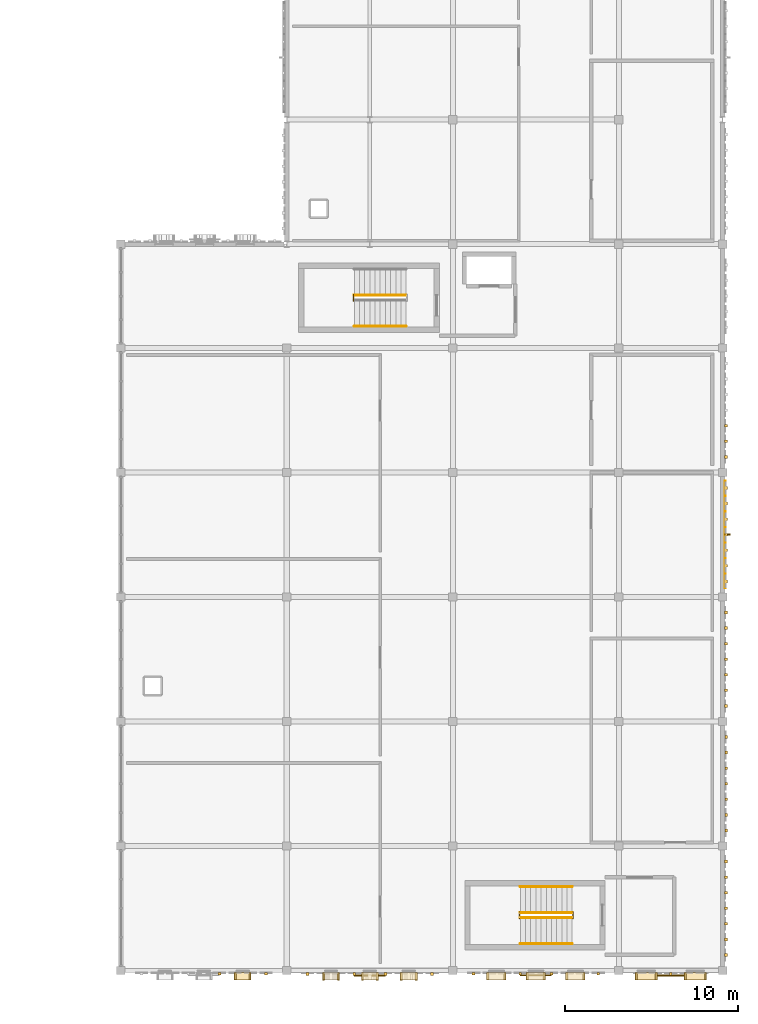
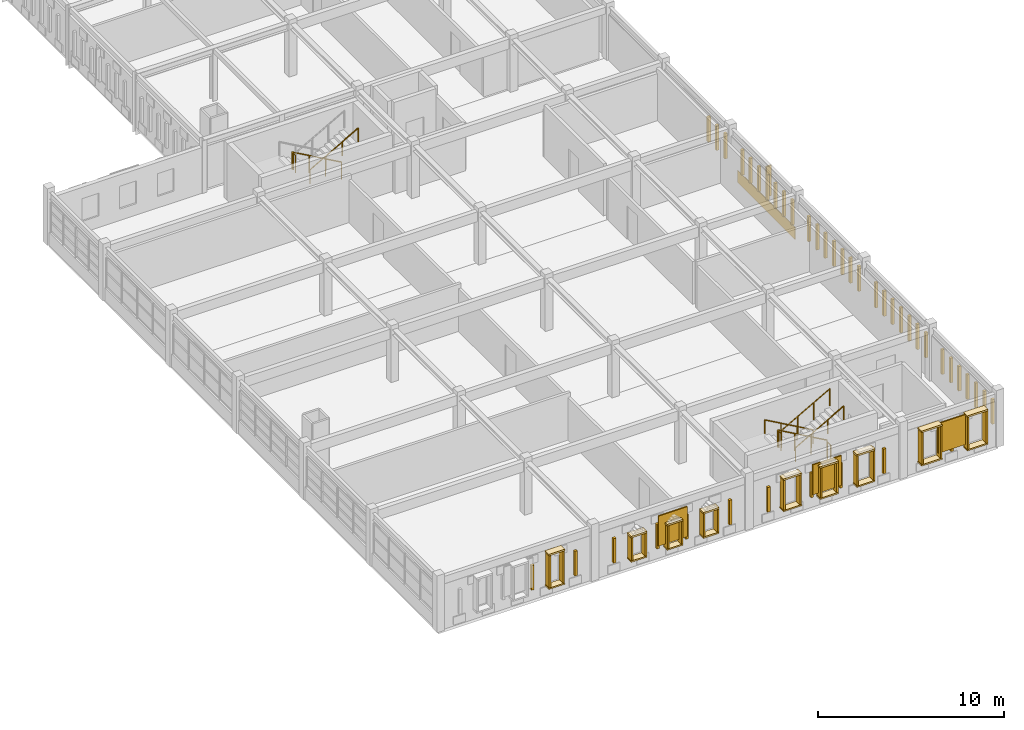
# One storey, part 46 of 53: 79 coverings, 9 railings, 4 shading devices.
"""IFC4 building model written with IfcOpenShell, lengths in metres."""

from ifc_helpers import new_model, si_unit, direction, frame, origin, origin_2d, place, context, subcontext, project, spatial, rectangle, circle, extrude, material, layer, layer_set, type_object, element, save


model = new_model("IFC4")

# Units and contexts
model_context = context("Model", 3, precision=1e-05, world=origin(), true_north=direction((0.0, 1.0)))
body_context = subcontext(model_context, "Body", "Model", "MODEL_VIEW")
ifc_project = project(units=[si_unit("LENGTHUNIT", "METRE"), si_unit("AREAUNIT", "SQUARE_METRE"), si_unit("VOLUMEUNIT", "CUBIC_METRE"), si_unit("PLANEANGLEUNIT", "RADIAN"), si_unit("MASSUNIT", "GRAM", prefix="KILO")], contexts=[model_context])

# Site, building, storey
site_placement = place(None, origin())
site = spatial("IfcSite", under=ifc_project, at=site_placement, CompositionType="ELEMENT")
building_placement = place(site_placement, origin())
building = spatial("IfcBuilding", under=site, at=building_placement, Name="Nzembalo Square Collegiate School", CompositionType="ELEMENT")
storey_placement = place(building_placement, frame((0.0, 0.0, 13.60009765625)))
storey = spatial("IfcBuildingStorey", under=building, at=storey_placement, Name="L03", CompositionType="ELEMENT", Elevation=13.60009765625)

# Coverings
ifc_material_1 = material(Name="Glazed cobalt ceramic patterned tile")
ifc_layer_1 = layer(ifc_material_1, 0.074951171875, Name="Glazed cobalt ceramic patterned tile")
ifc_layer_set_1 = layer_set([ifc_layer_1], Name="Glazed cobalt ceramic patterned tile")
covering_type_1 = type_object("IfcCoveringType", Name="CL01", PredefinedType="CLADDING", material=ifc_layer_set_1)
covering_1_placement = place(storey_placement, frame((165.74755859375, 33.60009765625, 0.02001953125), z_axis=(0.0, 0.0, 1.0), x_axis=(1.0, 0.0, 0.0)))
element("IfcCovering", 1, at=covering_1_placement, inside=storey, type_object=covering_type_1, Name="Faience spandrel cladding CL01-0208", PredefinedType="CLADDING", context=body_context, shape_type="SweptSolid", body=[
    extrude(rectangle(XDim=0.034912109375, YDim=6.216064453125, at=origin_2d()), origin(), (0.0, 0.0, 1.0), 0.800048828125),
])
ifc_material_2 = material(Name="Glazed ochre ceramic lancet rib")
ifc_layer_2 = layer(ifc_material_2, 0.159912109375, Name="Glazed ochre ceramic lancet rib")
ifc_layer_set_2 = layer_set([ifc_layer_2], Name="Glazed ochre ceramic lancet rib")
covering_type_2 = type_object("IfcCoveringType", Name="CL02", PredefinedType="CLADDING", material=ifc_layer_set_2)
for number, where, z_axis, x_axis, name in (
    (2, (165.79248046875, 9.300048828125, 0.759765625), (0.0, 0.0, 1.0), (1.0, 0.0, 0.0), "Gothic ceramic rib CL02-Y0205-0"),
    (3, (165.79248046875, 10.199951171875, 0.759765625), (0.0, 0.0, 1.0), (1.0, 0.0, 0.0), "Gothic ceramic rib CL02-Y0205-1"),
    (4, (165.79248046875, 11.10009765625, 0.759765625), (0.0, 0.0, 1.0), (1.0, 0.0, 0.0), "Gothic ceramic rib CL02-Y0205-2"),
    (5, (165.79248046875, 12.0, 0.759765625), (0.0, 0.0, 1.0), (1.0, 0.0, 0.0), "Gothic ceramic rib CL02-Y0205-3"),
    (6, (165.79248046875, 12.89990234375, 0.759765625), (0.0, 0.0, 1.0), (1.0, 0.0, 0.0), "Gothic ceramic rib CL02-Y0205-4"),
    (7, (165.79248046875, 13.800048828125, 0.759765625), (0.0, 0.0, 1.0), (1.0, 0.0, 0.0), "Gothic ceramic rib CL02-Y0205-5"),
    (8, (165.79248046875, 14.699951171875, 0.759765625), (0.0, 0.0, 1.0), (1.0, 0.0, 0.0), "Gothic ceramic rib CL02-Y0205-6"),
):
    element("IfcCovering", number, at=place(storey_placement, frame(where, z_axis=z_axis, x_axis=x_axis)), inside=storey, type_object=covering_type_2, Name=name, PredefinedType="CLADDING", context=body_context, shape_type="SweptSolid", body=[
        extrude(rectangle(XDim=0.159912109375, YDim=0.159912109375, at=origin_2d()), origin(), (0.0, 0.0, 1.0), 1.618896484375),
    ])
for number, where, z_axis, x_axis, name in (
    (9, (165.802490234375, 16.5, 0.760009765625), (0.0, 0.0, 1.0), (1.0, 0.0, 0.0), "Gothic ceramic rib CL02-Y0206-0"),
    (10, (165.802490234375, 17.39990234375, 0.760009765625), (0.0, 0.0, 1.0), (1.0, 0.0, 0.0), "Gothic ceramic rib CL02-Y0206-1"),
    (11, (165.802490234375, 18.300048828125, 0.760009765625), (0.0, 0.0, 1.0), (1.0, 0.0, 0.0), "Gothic ceramic rib CL02-Y0206-2"),
    (12, (165.802490234375, 19.199951171875, 0.760009765625), (0.0, 0.0, 1.0), (1.0, 0.0, 0.0), "Gothic ceramic rib CL02-Y0206-3"),
    (13, (165.802490234375, 20.10009765625, 0.760009765625), (0.0, 0.0, 1.0), (1.0, 0.0, 0.0), "Gothic ceramic rib CL02-Y0206-4"),
    (14, (165.802490234375, 21.0, 0.760009765625), (0.0, 0.0, 1.0), (1.0, 0.0, 0.0), "Gothic ceramic rib CL02-Y0206-5"),
    (15, (165.802490234375, 21.89990234375, 0.760009765625), (0.0, 0.0, 1.0), (1.0, 0.0, 0.0), "Gothic ceramic rib CL02-Y0206-6"),
    (16, (165.79248046875, 23.699951171875, 0.760009765625), (0.0, 0.0, 1.0), (1.0, 0.0, 0.0), "Gothic ceramic rib CL02-Y0207-0"),
    (17, (165.79248046875, 24.60009765625, 0.760009765625), (0.0, 0.0, 1.0), (1.0, 0.0, 0.0), "Gothic ceramic rib CL02-Y0207-1"),
    (18, (165.79248046875, 25.5, 0.760009765625), (0.0, 0.0, 1.0), (1.0, 0.0, 0.0), "Gothic ceramic rib CL02-Y0207-2"),
    (19, (165.79248046875, 26.39990234375, 0.760009765625), (0.0, 0.0, 1.0), (1.0, 0.0, 0.0), "Gothic ceramic rib CL02-Y0207-3"),
    (20, (165.79248046875, 27.300048828125, 0.760009765625), (0.0, 0.0, 1.0), (1.0, 0.0, 0.0), "Gothic ceramic rib CL02-Y0207-4"),
    (21, (165.79248046875, 28.199951171875, 0.760009765625), (0.0, 0.0, 1.0), (1.0, 0.0, 0.0), "Gothic ceramic rib CL02-Y0207-5"),
    (22, (165.79248046875, 29.10009765625, 0.760009765625), (0.0, 0.0, 1.0), (1.0, 0.0, 0.0), "Gothic ceramic rib CL02-Y0207-6"),
    (23, (165.802490234375, 30.89990234375, 0.760009765625), (0.0, 0.0, 1.0), (1.0, 0.0, 0.0), "Gothic ceramic rib CL02-Y0208-0"),
    (24, (165.802490234375, 31.800048828125, 0.760009765625), (0.0, 0.0, 1.0), (1.0, 0.0, 0.0), "Gothic ceramic rib CL02-Y0208-1"),
    (25, (165.802490234375, 32.699951171875, 0.760009765625), (0.0, 0.0, 1.0), (1.0, 0.0, 0.0), "Gothic ceramic rib CL02-Y0208-2"),
    (26, (165.802490234375, 33.60009765625, 0.760009765625), (0.0, 0.0, 1.0), (1.0, 0.0, 0.0), "Gothic ceramic rib CL02-Y0208-3"),
    (27, (165.802490234375, 34.5, 0.760009765625), (0.0, 0.0, 1.0), (1.0, 0.0, 0.0), "Gothic ceramic rib CL02-Y0208-4"),
    (28, (165.802490234375, 35.39990234375, 0.760009765625), (0.0, 0.0, 1.0), (1.0, 0.0, 0.0), "Gothic ceramic rib CL02-Y0208-5"),
    (29, (165.802490234375, 36.300048828125, 0.760009765625), (0.0, 0.0, 1.0), (1.0, 0.0, 0.0), "Gothic ceramic rib CL02-Y0208-6"),
    (30, (165.79248046875, 38.10009765625, 0.760009765625), (0.0, 0.0, 1.0), (1.0, 0.0, 0.0), "Gothic ceramic rib CL02-Y0209-0"),
    (31, (165.79248046875, 39.0, 0.760009765625), (0.0, 0.0, 1.0), (1.0, 0.0, 0.0), "Gothic ceramic rib CL02-Y0209-1"),
    (32, (165.79248046875, 39.89990234375, 0.760009765625), (0.0, 0.0, 1.0), (1.0, 0.0, 0.0), "Gothic ceramic rib CL02-Y0209-2"),
):
    element("IfcCovering", number, at=place(storey_placement, frame(where, z_axis=z_axis, x_axis=x_axis)), inside=storey, type_object=covering_type_2, Name=name, PredefinedType="CLADDING", context=body_context, shape_type="SweptSolid", body=[
        extrude(rectangle(XDim=0.159912109375, YDim=0.159912109375, at=origin_2d()), origin(), (0.0, 0.0, 1.0), 1.64892578125),
    ])
for number, where, z_axis, x_axis, name in (
    (33, (136.5, 8.20751953125, 0.759765625), (0.0, 0.0, 1.0), (1.0, 0.0, 0.0), "Gothic ceramic rib CL02-X0217-5"),
    (34, (139.199951171875, 8.20751953125, 0.759765625), (0.0, 0.0, 1.0), (1.0, 0.0, 0.0), "Gothic ceramic rib CL02-X0217-8"),
    (35, (141.60009765625, 8.197509765625, 0.759765625), (0.0, 0.0, 1.0), (1.0, 0.0, 0.0), "Gothic ceramic rib CL02-X0218-0"),
    (36, (144.300048828125, 8.197509765625, 0.759765625), (0.0, 0.0, 1.0), (1.0, 0.0, 0.0), "Gothic ceramic rib CL02-X0218-3"),
    (37, (146.10009765625, 8.197509765625, 0.759765625), (0.0, 0.0, 1.0), (1.0, 0.0, 0.0), "Gothic ceramic rib CL02-X0218-5"),
    (38, (148.800048828125, 8.197509765625, 0.759765625), (0.0, 0.0, 1.0), (1.0, 0.0, 0.0), "Gothic ceramic rib CL02-X0218-8"),
    (39, (151.199951171875, 8.20751953125, 0.759765625), (0.0, 0.0, 1.0), (1.0, 0.0, 0.0), "Gothic ceramic rib CL02-X0219-0"),
    (40, (153.89990234375, 8.20751953125, 0.759765625), (0.0, 0.0, 1.0), (1.0, 0.0, 0.0), "Gothic ceramic rib CL02-X0219-3"),
    (41, (155.699951171875, 8.20751953125, 0.759765625), (0.0, 0.0, 1.0), (1.0, 0.0, 0.0), "Gothic ceramic rib CL02-X0219-5"),
    (42, (158.39990234375, 8.20751953125, 0.759765625), (0.0, 0.0, 1.0), (1.0, 0.0, 0.0), "Gothic ceramic rib CL02-X0219-8"),
    (43, (162.60009765625, 8.197509765625, 0.759765625), (0.0, 0.0, 1.0), (1.0, 0.0, 0.0), "Gothic ceramic rib CL02-X0220-2"),
):
    element("IfcCovering", number, at=place(storey_placement, frame(where, z_axis=z_axis, x_axis=x_axis)), inside=storey, type_object=covering_type_2, Name=name, PredefinedType="CLADDING", context=body_context, shape_type="SweptSolid", body=[
        extrude(rectangle(XDim=0.159912109375, YDim=0.159912109375, at=origin_2d()), origin(), (0.0, 0.0, 1.0), 1.618896484375),
    ])
ifc_material_3 = material(Name="Glazed celadon ceramic window frame")
ifc_layer_3 = layer(ifc_material_3, 0.419921875, Name="Glazed celadon ceramic window frame")
ifc_layer_set_3 = layer_set([ifc_layer_3], Name="Glazed celadon ceramic window frame")
covering_type_3 = type_object("IfcCoveringType", Name="WF01", PredefinedType="CLADDING", material=ifc_layer_set_3)
covering_2_placement = place(storey_placement, frame((137.846435546875, 8.072509765625, 2.85498046875), z_axis=(0.0, 0.0, 1.0), x_axis=(1.0, 0.0, 0.0)))
element("IfcCovering", 44, at=covering_2_placement, inside=storey, type_object=covering_type_3, Name="Deep lancet window hood WF01-0669", PredefinedType="CLADDING", context=body_context, shape_type="SweptSolid", body=[
    extrude(rectangle(XDim=0.989990234375, YDim=0.419921875, at=origin_2d()), origin(), (0.0, 0.0, 1.0), 0.110107421875),
])
covering_3_placement = place(storey_placement, frame((137.846435546875, 8.072509765625, 0.65478515625), z_axis=(0.0, 0.0, 1.0), x_axis=(1.0, 0.0, 0.0)))
element("IfcCovering", 45, at=covering_3_placement, inside=storey, type_object=covering_type_3, Name="Deep lancet window sill WF01-0669", PredefinedType="CLADDING", context=body_context, shape_type="SweptSolid", body=[
    extrude(rectangle(XDim=0.989990234375, YDim=0.419921875, at=origin_2d()), origin(), (0.0, 0.0, 1.0), 0.090087890625),
])
for number, where, z_axis, x_axis, name in (
    (46, (137.41650390625, 8.072509765625, 0.749755859375), (0.0, 0.0, 1.0), (1.0, 0.0, 0.0), "Deep lancet window jamb WF01-0669L"),
    (47, (138.276611328125, 8.072509765625, 0.749755859375), (0.0, 0.0, 1.0), (1.0, 0.0, 0.0), "Deep lancet window jamb WF01-0669R"),
):
    element("IfcCovering", number, at=place(storey_placement, frame(where, z_axis=z_axis, x_axis=x_axis)), inside=storey, type_object=covering_type_3, Name=name, PredefinedType="CLADDING", context=body_context, shape_type="SweptSolid", body=[
        extrude(rectangle(XDim=0.10009765625, YDim=0.419921875, at=origin_2d()), origin(), (0.0, 0.0, 1.0), 2.10009765625),
    ])
covering_4_placement = place(storey_placement, frame((142.95361328125, 8.0625, 2.2548828125), z_axis=(0.0, 0.0, 1.0), x_axis=(1.0, 0.0, 0.0)))
element("IfcCovering", 48, at=covering_4_placement, inside=storey, type_object=covering_type_3, Name="Deep lancet window hood WF01-0670", PredefinedType="CLADDING", context=body_context, shape_type="SweptSolid", body=[
    extrude(rectangle(XDim=0.989990234375, YDim=0.419921875, at=origin_2d()), origin(), (0.0, 0.0, 1.0), 0.110107421875),
])
covering_5_placement = place(storey_placement, frame((142.95361328125, 8.0625, 0.65478515625), z_axis=(0.0, 0.0, 1.0), x_axis=(1.0, 0.0, 0.0)))
element("IfcCovering", 49, at=covering_5_placement, inside=storey, type_object=covering_type_3, Name="Deep lancet window sill WF01-0670", PredefinedType="CLADDING", context=body_context, shape_type="SweptSolid", body=[
    extrude(rectangle(XDim=0.989990234375, YDim=0.419921875, at=origin_2d()), origin(), (0.0, 0.0, 1.0), 0.090087890625),
])
for number, where, z_axis, x_axis, name in (
    (50, (142.5234375, 8.0625, 0.75), (0.0, 0.0, 1.0), (1.0, 0.0, 0.0), "Deep lancet window jamb WF01-0670L"),
    (51, (143.383544921875, 8.0625, 0.75), (0.0, 0.0, 1.0), (1.0, 0.0, 0.0), "Deep lancet window jamb WF01-0670R"),
):
    element("IfcCovering", number, at=place(storey_placement, frame(where, z_axis=z_axis, x_axis=x_axis)), inside=storey, type_object=covering_type_3, Name=name, PredefinedType="CLADDING", context=body_context, shape_type="SweptSolid", body=[
        extrude(rectangle(XDim=0.10009765625, YDim=0.419921875, at=origin_2d()), origin(), (0.0, 0.0, 1.0), 1.5),
    ])
covering_6_placement = place(storey_placement, frame((145.199951171875, 8.0625, 2.2548828125), z_axis=(0.0, 0.0, 1.0), x_axis=(1.0, 0.0, 0.0)))
element("IfcCovering", 52, at=covering_6_placement, inside=storey, type_object=covering_type_3, Name="Deep lancet window hood WF01-0671", PredefinedType="CLADDING", context=body_context, shape_type="SweptSolid", body=[
    extrude(rectangle(XDim=0.989990234375, YDim=0.419921875, at=origin_2d()), origin(), (0.0, 0.0, 1.0), 0.110107421875),
])
covering_7_placement = place(storey_placement, frame((145.199951171875, 8.0625, 0.65478515625), z_axis=(0.0, 0.0, 1.0), x_axis=(1.0, 0.0, 0.0)))
element("IfcCovering", 53, at=covering_7_placement, inside=storey, type_object=covering_type_3, Name="Deep lancet window sill WF01-0671", PredefinedType="CLADDING", context=body_context, shape_type="SweptSolid", body=[
    extrude(rectangle(XDim=0.989990234375, YDim=0.419921875, at=origin_2d()), origin(), (0.0, 0.0, 1.0), 0.090087890625),
])
for number, where, z_axis, x_axis, name in (
    (54, (144.77001953125, 8.0625, 0.75), (0.0, 0.0, 1.0), (1.0, 0.0, 0.0), "Deep lancet window jamb WF01-0671L"),
    (55, (145.6298828125, 8.0625, 0.75), (0.0, 0.0, 1.0), (1.0, 0.0, 0.0), "Deep lancet window jamb WF01-0671R"),
):
    element("IfcCovering", number, at=place(storey_placement, frame(where, z_axis=z_axis, x_axis=x_axis)), inside=storey, type_object=covering_type_3, Name=name, PredefinedType="CLADDING", context=body_context, shape_type="SweptSolid", body=[
        extrude(rectangle(XDim=0.10009765625, YDim=0.419921875, at=origin_2d()), origin(), (0.0, 0.0, 1.0), 1.5),
    ])
covering_8_placement = place(storey_placement, frame((147.446533203125, 8.0625, 2.2548828125), z_axis=(0.0, 0.0, 1.0), x_axis=(1.0, 0.0, 0.0)))
element("IfcCovering", 56, at=covering_8_placement, inside=storey, type_object=covering_type_3, Name="Deep lancet window hood WF01-0672", PredefinedType="CLADDING", context=body_context, shape_type="SweptSolid", body=[
    extrude(rectangle(XDim=0.989990234375, YDim=0.419921875, at=origin_2d()), origin(), (0.0, 0.0, 1.0), 0.110107421875),
])
covering_9_placement = place(storey_placement, frame((147.446533203125, 8.0625, 0.65478515625), z_axis=(0.0, 0.0, 1.0), x_axis=(1.0, 0.0, 0.0)))
element("IfcCovering", 57, at=covering_9_placement, inside=storey, type_object=covering_type_3, Name="Deep lancet window sill WF01-0672", PredefinedType="CLADDING", context=body_context, shape_type="SweptSolid", body=[
    extrude(rectangle(XDim=0.989990234375, YDim=0.419921875, at=origin_2d()), origin(), (0.0, 0.0, 1.0), 0.090087890625),
])
for number, where, z_axis, x_axis, name in (
    (58, (147.0166015625, 8.0625, 0.75), (0.0, 0.0, 1.0), (1.0, 0.0, 0.0), "Deep lancet window jamb WF01-0672L"),
    (59, (147.87646484375, 8.0625, 0.75), (0.0, 0.0, 1.0), (1.0, 0.0, 0.0), "Deep lancet window jamb WF01-0672R"),
):
    element("IfcCovering", number, at=place(storey_placement, frame(where, z_axis=z_axis, x_axis=x_axis)), inside=storey, type_object=covering_type_3, Name=name, PredefinedType="CLADDING", context=body_context, shape_type="SweptSolid", body=[
        extrude(rectangle(XDim=0.10009765625, YDim=0.419921875, at=origin_2d()), origin(), (0.0, 0.0, 1.0), 1.5),
    ])
covering_10_placement = place(storey_placement, frame((152.51611328125, 8.072509765625, 2.705078125), z_axis=(0.0, 0.0, 1.0), x_axis=(1.0, 0.0, 0.0)))
element("IfcCovering", 60, at=covering_10_placement, inside=storey, type_object=covering_type_3, Name="Deep lancet window hood WF01-0673", PredefinedType="CLADDING", context=body_context, shape_type="SweptSolid", body=[
    extrude(rectangle(XDim=1.139892578125, YDim=0.419921875, at=origin_2d()), origin(), (0.0, 0.0, 1.0), 0.110107421875),
])
covering_11_placement = place(storey_placement, frame((152.51611328125, 8.072509765625, 0.65478515625), z_axis=(0.0, 0.0, 1.0), x_axis=(1.0, 0.0, 0.0)))
element("IfcCovering", 61, at=covering_11_placement, inside=storey, type_object=covering_type_3, Name="Deep lancet window sill WF01-0673", PredefinedType="CLADDING", context=body_context, shape_type="SweptSolid", body=[
    extrude(rectangle(XDim=1.139892578125, YDim=0.419921875, at=origin_2d()), origin(), (0.0, 0.0, 1.0), 0.090087890625),
])
for number, where, z_axis, x_axis, name in (
    (62, (152.010986328125, 8.072509765625, 0.75), (0.0, 0.0, 1.0), (1.0, 0.0, 0.0), "Deep lancet window jamb WF01-0673L"),
    (63, (153.02099609375, 8.072509765625, 0.75), (0.0, 0.0, 1.0), (1.0, 0.0, 0.0), "Deep lancet window jamb WF01-0673R"),
):
    element("IfcCovering", number, at=place(storey_placement, frame(where, z_axis=z_axis, x_axis=x_axis)), inside=storey, type_object=covering_type_3, Name=name, PredefinedType="CLADDING", context=body_context, shape_type="SweptSolid", body=[
        extrude(rectangle(XDim=0.10009765625, YDim=0.419921875, at=origin_2d()), origin(), (0.0, 0.0, 1.0), 1.949951171875),
    ])
covering_12_placement = place(storey_placement, frame((154.800048828125, 8.072509765625, 2.705078125), z_axis=(0.0, 0.0, 1.0), x_axis=(1.0, 0.0, 0.0)))
element("IfcCovering", 64, at=covering_12_placement, inside=storey, type_object=covering_type_3, Name="Deep lancet window hood WF01-0674", PredefinedType="CLADDING", context=body_context, shape_type="SweptSolid", body=[
    extrude(rectangle(XDim=1.139892578125, YDim=0.419921875, at=origin_2d()), origin(), (0.0, 0.0, 1.0), 0.110107421875),
])
covering_13_placement = place(storey_placement, frame((154.800048828125, 8.072509765625, 0.65478515625), z_axis=(0.0, 0.0, 1.0), x_axis=(1.0, 0.0, 0.0)))
element("IfcCovering", 65, at=covering_13_placement, inside=storey, type_object=covering_type_3, Name="Deep lancet window sill WF01-0674", PredefinedType="CLADDING", context=body_context, shape_type="SweptSolid", body=[
    extrude(rectangle(XDim=1.139892578125, YDim=0.419921875, at=origin_2d()), origin(), (0.0, 0.0, 1.0), 0.090087890625),
])
for number, where, z_axis, x_axis, name in (
    (66, (154.294921875, 8.072509765625, 0.75), (0.0, 0.0, 1.0), (1.0, 0.0, 0.0), "Deep lancet window jamb WF01-0674L"),
    (67, (155.304931640625, 8.072509765625, 0.75), (0.0, 0.0, 1.0), (1.0, 0.0, 0.0), "Deep lancet window jamb WF01-0674R"),
):
    element("IfcCovering", number, at=place(storey_placement, frame(where, z_axis=z_axis, x_axis=x_axis)), inside=storey, type_object=covering_type_3, Name=name, PredefinedType="CLADDING", context=body_context, shape_type="SweptSolid", body=[
        extrude(rectangle(XDim=0.10009765625, YDim=0.419921875, at=origin_2d()), origin(), (0.0, 0.0, 1.0), 1.949951171875),
    ])
covering_14_placement = place(storey_placement, frame((157.083984375, 8.072509765625, 2.705078125), z_axis=(0.0, 0.0, 1.0), x_axis=(1.0, 0.0, 0.0)))
element("IfcCovering", 68, at=covering_14_placement, inside=storey, type_object=covering_type_3, Name="Deep lancet window hood WF01-0675", PredefinedType="CLADDING", context=body_context, shape_type="SweptSolid", body=[
    extrude(rectangle(XDim=1.139892578125, YDim=0.419921875, at=origin_2d()), origin(), (0.0, 0.0, 1.0), 0.110107421875),
])
covering_15_placement = place(storey_placement, frame((157.083984375, 8.072509765625, 0.65478515625), z_axis=(0.0, 0.0, 1.0), x_axis=(1.0, 0.0, 0.0)))
element("IfcCovering", 69, at=covering_15_placement, inside=storey, type_object=covering_type_3, Name="Deep lancet window sill WF01-0675", PredefinedType="CLADDING", context=body_context, shape_type="SweptSolid", body=[
    extrude(rectangle(XDim=1.139892578125, YDim=0.419921875, at=origin_2d()), origin(), (0.0, 0.0, 1.0), 0.090087890625),
])
for number, where, z_axis, x_axis, name in (
    (70, (156.5791015625, 8.072509765625, 0.75), (0.0, 0.0, 1.0), (1.0, 0.0, 0.0), "Deep lancet window jamb WF01-0675L"),
    (71, (157.589111328125, 8.072509765625, 0.75), (0.0, 0.0, 1.0), (1.0, 0.0, 0.0), "Deep lancet window jamb WF01-0675R"),
):
    element("IfcCovering", number, at=place(storey_placement, frame(where, z_axis=z_axis, x_axis=x_axis)), inside=storey, type_object=covering_type_3, Name=name, PredefinedType="CLADDING", context=body_context, shape_type="SweptSolid", body=[
        extrude(rectangle(XDim=0.10009765625, YDim=0.419921875, at=origin_2d()), origin(), (0.0, 0.0, 1.0), 1.949951171875),
    ])
covering_16_placement = place(storey_placement, frame((161.178466796875, 8.0625, 2.85498046875), z_axis=(0.0, 0.0, 1.0), x_axis=(1.0, 0.0, 0.0)))
element("IfcCovering", 72, at=covering_16_placement, inside=storey, type_object=covering_type_3, Name="Deep lancet window hood WF01-0677", PredefinedType="CLADDING", context=body_context, shape_type="SweptSolid", body=[
    extrude(rectangle(XDim=1.2900390625, YDim=0.419921875, at=origin_2d()), origin(), (0.0, 0.0, 1.0), 0.110107421875),
])
covering_17_placement = place(storey_placement, frame((161.178466796875, 8.0625, 0.65478515625), z_axis=(0.0, 0.0, 1.0), x_axis=(1.0, 0.0, 0.0)))
element("IfcCovering", 73, at=covering_17_placement, inside=storey, type_object=covering_type_3, Name="Deep lancet window sill WF01-0677", PredefinedType="CLADDING", context=body_context, shape_type="SweptSolid", body=[
    extrude(rectangle(XDim=1.2900390625, YDim=0.419921875, at=origin_2d()), origin(), (0.0, 0.0, 1.0), 0.090087890625),
])
for number, where, z_axis, x_axis, name in (
    (74, (160.598388671875, 8.0625, 0.749755859375), (0.0, 0.0, 1.0), (1.0, 0.0, 0.0), "Deep lancet window jamb WF01-0677L"),
    (75, (161.758544921875, 8.0625, 0.749755859375), (0.0, 0.0, 1.0), (1.0, 0.0, 0.0), "Deep lancet window jamb WF01-0677R"),
):
    element("IfcCovering", number, at=place(storey_placement, frame(where, z_axis=z_axis, x_axis=x_axis)), inside=storey, type_object=covering_type_3, Name=name, PredefinedType="CLADDING", context=body_context, shape_type="SweptSolid", body=[
        extrude(rectangle(XDim=0.10009765625, YDim=0.419921875, at=origin_2d()), origin(), (0.0, 0.0, 1.0), 2.10009765625),
    ])
covering_18_placement = place(storey_placement, frame((164.021484375, 8.0625, 2.85498046875), z_axis=(0.0, 0.0, 1.0), x_axis=(1.0, 0.0, 0.0)))
element("IfcCovering", 76, at=covering_18_placement, inside=storey, type_object=covering_type_3, Name="Deep lancet window hood WF01-0678", PredefinedType="CLADDING", context=body_context, shape_type="SweptSolid", body=[
    extrude(rectangle(XDim=1.2900390625, YDim=0.419921875, at=origin_2d()), origin(), (0.0, 0.0, 1.0), 0.110107421875),
])
covering_19_placement = place(storey_placement, frame((164.021484375, 8.0625, 0.65478515625), z_axis=(0.0, 0.0, 1.0), x_axis=(1.0, 0.0, 0.0)))
element("IfcCovering", 77, at=covering_19_placement, inside=storey, type_object=covering_type_3, Name="Deep lancet window sill WF01-0678", PredefinedType="CLADDING", context=body_context, shape_type="SweptSolid", body=[
    extrude(rectangle(XDim=1.2900390625, YDim=0.419921875, at=origin_2d()), origin(), (0.0, 0.0, 1.0), 0.090087890625),
])
for number, where, z_axis, x_axis, name in (
    (78, (163.44140625, 8.0625, 0.749755859375), (0.0, 0.0, 1.0), (1.0, 0.0, 0.0), "Deep lancet window jamb WF01-0678L"),
    (79, (164.6015625, 8.0625, 0.749755859375), (0.0, 0.0, 1.0), (1.0, 0.0, 0.0), "Deep lancet window jamb WF01-0678R"),
):
    element("IfcCovering", number, at=place(storey_placement, frame(where, z_axis=z_axis, x_axis=x_axis)), inside=storey, type_object=covering_type_3, Name=name, PredefinedType="CLADDING", context=body_context, shape_type="SweptSolid", body=[
        extrude(rectangle(XDim=0.10009765625, YDim=0.419921875, at=origin_2d()), origin(), (0.0, 0.0, 1.0), 2.10009765625),
    ])

# Railings
ifc_material_4 = material(Name="Steel S355", Category="steel")
railing_type_1 = type_object("IfcRailingType", Name="GR01", PredefinedType="GUARDRAIL", material=ifc_material_4)
railing_1_placement = place(storey_placement, frame((147.300048828125, 47.449951171875, 0.159912109375)))
element("IfcRailing", 80, at=railing_1_placement, inside=storey, type_object=railing_type_1, Name="Stair guard GR-22-1", PredefinedType="GUARDRAIL", context=body_context, shape_type="SweptSolid", body=[
    extrude(circle(Radius=0.02392578125, at=origin_2d()), frame((0.0, 0.0, 1.1259765625), z_axis=(-0.870028259722, 0.0, 0.493001853226), x_axis=(0.0, -1.0, 0.0)), (0.0, 0.0, 1.0), 3.4482421875),
    extrude(circle(Radius=0.02099609375, at=origin_2d()), origin(), (0.0, 0.0, 1.0), 1.101806640625),
    extrude(circle(Radius=0.02099609375, at=origin_2d()), frame((-1.0, 0.0, 0.566650390625)), (0.0, 0.0, 1.0), 1.101806640625),
    extrude(circle(Radius=0.02099609375, at=origin_2d()), frame((-2.0, 0.0, 1.13330078125)), (0.0, 0.0, 1.0), 1.101806640625),
    extrude(circle(Radius=0.02099609375, at=origin_2d()), frame((-3.0, 0.0, 1.699951171875)), (0.0, 0.0, 1.0), 1.101806640625),
])
railing_2_placement = place(storey_placement, frame((144.25, 47.1201171875, 1.864990234375)))
element("IfcRailing", 81, at=railing_2_placement, inside=storey, type_object=railing_type_1, Name="Stair guard GR-22-2", PredefinedType="GUARDRAIL", context=body_context, shape_type="SweptSolid", body=[
    extrude(circle(Radius=0.02392578125, at=origin_2d()), frame((0.0, 0.0, 1.1259765625), z_axis=(0.0, 1.0, 0.0), x_axis=(-1.0, 0.0, 0.0)), (0.0, 0.0, 1.0), 0.35986328125),
    extrude(circle(Radius=0.02099609375, at=origin_2d()), origin(), (0.0, 0.0, 1.0), 1.101806640625),
    extrude(circle(Radius=0.02099609375, at=origin_2d()), frame((0.0, 0.35986328125, 0.0)), (0.0, 0.0, 1.0), 1.101806640625),
])
railing_3_placement = place(storey_placement, frame((156.89990234375, 11.75, 0.159912109375)))
element("IfcRailing", 82, at=railing_3_placement, inside=storey, type_object=railing_type_1, Name="Stair guard GR-27-1", PredefinedType="GUARDRAIL", context=body_context, shape_type="SweptSolid", body=[
    extrude(circle(Radius=0.02392578125, at=origin_2d()), frame((0.0, 0.0, 1.1259765625), z_axis=(-0.870028259722, 0.0, 0.493001853226), x_axis=(0.0, -1.0, 0.0)), (0.0, 0.0, 1.0), 3.4482421875),
    extrude(circle(Radius=0.02099609375, at=origin_2d()), origin(), (0.0, 0.0, 1.0), 1.101806640625),
    extrude(circle(Radius=0.02099609375, at=origin_2d()), frame((-1.0, 0.0, 0.566650390625)), (0.0, 0.0, 1.0), 1.101806640625),
    extrude(circle(Radius=0.02099609375, at=origin_2d()), frame((-2.0, 0.0, 1.13330078125)), (0.0, 0.0, 1.0), 1.101806640625),
    extrude(circle(Radius=0.02099609375, at=origin_2d()), frame((-3.0, 0.0, 1.699951171875)), (0.0, 0.0, 1.0), 1.101806640625),
])
railing_4_placement = place(storey_placement, frame((153.85009765625, 11.419921875, 1.864990234375)))
element("IfcRailing", 83, at=railing_4_placement, inside=storey, type_object=railing_type_1, Name="Stair guard GR-27-2", PredefinedType="GUARDRAIL", context=body_context, shape_type="SweptSolid", body=[
    extrude(circle(Radius=0.02392578125, at=origin_2d()), frame((0.0, 0.0, 1.1259765625), z_axis=(0.0, 1.0, 0.0), x_axis=(-1.0, 0.0, 0.0)), (0.0, 0.0, 1.0), 0.360107421875),
    extrude(circle(Radius=0.02099609375, at=origin_2d()), origin(), (0.0, 0.0, 1.0), 1.101806640625),
    extrude(circle(Radius=0.02099609375, at=origin_2d()), frame((0.0, 0.360107421875, 0.0)), (0.0, 0.0, 1.0), 1.101806640625),
])
railing_5_placement = place(storey_placement, frame((153.89990234375, 11.449951171875, 2.02978515625)))
element("IfcRailing", 84, at=railing_5_placement, inside=storey, type_object=railing_type_1, Name="Stair guard GR-27-3", PredefinedType="GUARDRAIL", context=body_context, shape_type="SweptSolid", body=[
    extrude(circle(Radius=0.02392578125, at=origin_2d()), frame((0.0, 0.0, 1.1259765625), z_axis=(0.869997889882, 0.0, 0.493055444754), x_axis=(0.0, 1.0, 0.0)), (0.0, 0.0, 1.0), 3.4482421875),
    extrude(circle(Radius=0.02099609375, at=origin_2d()), origin(), (0.0, 0.0, 1.0), 1.101806640625),
    extrude(circle(Radius=0.02099609375, at=origin_2d()), frame((1.0, 0.0, 0.566650390625)), (0.0, 0.0, 1.0), 1.101806640625),
    extrude(circle(Radius=0.02099609375, at=origin_2d()), frame((2.0, 0.0, 1.133544921875)), (0.0, 0.0, 1.0), 1.101806640625),
    extrude(circle(Radius=0.02099609375, at=origin_2d()), frame((3.0, 0.0, 1.7001953125)), (0.0, 0.0, 1.0), 1.101806640625),
])
railing_6_placement = place(storey_placement, frame((156.949951171875, 11.419921875, -0.005126953125)))
element("IfcRailing", 85, at=railing_6_placement, inside=storey, type_object=railing_type_1, Name="Stair guard GR-27-4", PredefinedType="GUARDRAIL", context=body_context, shape_type="SweptSolid", body=[
    extrude(circle(Radius=0.02392578125, at=origin_2d()), frame((0.0, 0.0, 1.1259765625), z_axis=(0.0, 1.0, 0.0), x_axis=(-1.0, 0.0, 0.0)), (0.0, 0.0, 1.0), 0.360107421875),
    extrude(circle(Radius=0.02099609375, at=origin_2d()), origin(), (0.0, 0.0, 1.0), 1.101806640625),
    extrude(circle(Radius=0.02099609375, at=origin_2d()), frame((0.0, 0.360107421875, 0.0)), (0.0, 0.0, 1.0), 1.101806640625),
])
ifc_material_5 = material(Name="Steel S355", Category="steel")
railing_type_2 = type_object("IfcRailingType", Name="HR01", PredefinedType="HANDRAIL", material=ifc_material_5)
railing_7_placement = place(storey_placement, frame((144.300048828125, 45.64990234375, 2.02978515625)))
element("IfcRailing", 86, at=railing_7_placement, inside=storey, type_object=railing_type_2, Name="Stair handrail HR-22-2", PredefinedType="HANDRAIL", context=body_context, shape_type="SweptSolid", body=[
    extrude(circle(Radius=0.02392578125, at=origin_2d()), frame((0.0, 0.0, 0.89599609375), z_axis=(0.869997889882, 0.0, 0.493055444754), x_axis=(0.0, 1.0, 0.0)), (0.0, 0.0, 1.0), 3.4482421875),
    extrude(circle(Radius=0.02099609375, at=origin_2d()), origin(), (0.0, 0.0, 1.0), 0.871826171875),
    extrude(circle(Radius=0.02099609375, at=origin_2d()), frame((1.0, 0.0, 0.566650390625)), (0.0, 0.0, 1.0), 0.871826171875),
    extrude(circle(Radius=0.02099609375, at=origin_2d()), frame((2.0, 0.0, 1.133544921875)), (0.0, 0.0, 1.0), 0.871826171875),
    extrude(circle(Radius=0.02099609375, at=origin_2d()), frame((3.0, 0.0, 1.7001953125)), (0.0, 0.0, 1.0), 0.871826171875),
])
railing_8_placement = place(storey_placement, frame((156.89990234375, 13.25, 0.159912109375)))
element("IfcRailing", 87, at=railing_8_placement, inside=storey, type_object=railing_type_2, Name="Stair handrail HR-27-1", PredefinedType="HANDRAIL", context=body_context, shape_type="SweptSolid", body=[
    extrude(circle(Radius=0.02392578125, at=origin_2d()), frame((0.0, 0.0, 0.89599609375), z_axis=(-0.870028259722, 0.0, 0.493001853226), x_axis=(0.0, -1.0, 0.0)), (0.0, 0.0, 1.0), 3.4482421875),
    extrude(circle(Radius=0.02099609375, at=origin_2d()), origin(), (0.0, 0.0, 1.0), 0.871826171875),
    extrude(circle(Radius=0.02099609375, at=origin_2d()), frame((-1.0, 0.0, 0.566650390625)), (0.0, 0.0, 1.0), 0.871826171875),
    extrude(circle(Radius=0.02099609375, at=origin_2d()), frame((-2.0, 0.0, 1.13330078125)), (0.0, 0.0, 1.0), 0.871826171875),
    extrude(circle(Radius=0.02099609375, at=origin_2d()), frame((-3.0, 0.0, 1.699951171875)), (0.0, 0.0, 1.0), 0.871826171875),
])
railing_9_placement = place(storey_placement, frame((153.89990234375, 9.949951171875, 2.02978515625)))
element("IfcRailing", 88, at=railing_9_placement, inside=storey, type_object=railing_type_2, Name="Stair handrail HR-27-2", PredefinedType="HANDRAIL", context=body_context, shape_type="SweptSolid", body=[
    extrude(circle(Radius=0.02392578125, at=origin_2d()), frame((0.0, 0.0, 0.89599609375), z_axis=(0.869997889882, 0.0, 0.493055444754), x_axis=(0.0, 1.0, 0.0)), (0.0, 0.0, 1.0), 3.4482421875),
    extrude(circle(Radius=0.02099609375, at=origin_2d()), origin(), (0.0, 0.0, 1.0), 0.871826171875),
    extrude(circle(Radius=0.02099609375, at=origin_2d()), frame((1.0, 0.0, 0.566650390625)), (0.0, 0.0, 1.0), 0.871826171875),
    extrude(circle(Radius=0.02099609375, at=origin_2d()), frame((2.0, 0.0, 1.133544921875)), (0.0, 0.0, 1.0), 0.871826171875),
    extrude(circle(Radius=0.02099609375, at=origin_2d()), frame((3.0, 0.0, 1.7001953125)), (0.0, 0.0, 1.0), 0.871826171875),
])

# Shading devices
ifc_material_6 = material(Name="Glazed ochre ceramic vertical fin")
shading_device_type_1 = type_object("IfcShadingDeviceType", Name="JL01", PredefinedType="JALOUSIE", material=ifc_material_6)
shading_device_1_placement = place(storey_placement, frame((165.887451171875, 33.60009765625, 0.949951171875), z_axis=(0.0, 0.0, 1.0), x_axis=(1.0, 0.0, 0.0)))
element("IfcShadingDevice", 89, at=shading_device_1_placement, inside=storey, type_object=shading_device_type_1, Name="Ceramic fin JL01-0208", PredefinedType="JALOUSIE", context=body_context, shape_type="SweptSolid", body=[
    extrude(rectangle(XDim=0.320068359375, YDim=0.090087890625, at=origin_2d()), origin(), (0.0, 0.0, 1.0), 1.9990234375),
])
ifc_material_7 = material(Name="Glazed cobalt ceramic lancet screen")
ifc_layer_4 = layer(ifc_material_7, 0.080078125, Name="Glazed cobalt ceramic lancet screen")
ifc_layer_set_4 = layer_set([ifc_layer_4], Name="Glazed cobalt ceramic lancet screen")
shading_device_type_2 = type_object("IfcShadingDeviceType", Name="SC01", PredefinedType="USERDEFINED", material=ifc_layer_set_4)
shading_device_2_placement = place(storey_placement, frame((154.800048828125, 8.12744140625, 0.94970703125), z_axis=(0.0, 0.0, 1.0), x_axis=(1.0, 0.0, 0.0)))
element("IfcShadingDevice", 90, at=shading_device_2_placement, inside=storey, type_object=shading_device_type_2, Name="Ceramic lancet screen SC01-019", ObjectType="SCREEN", PredefinedType="USERDEFINED", context=body_context, shape_type="SweptSolid", body=[
    extrude(rectangle(XDim=1.800048828125, YDim=0.080078125, at=origin_2d()), origin(), (0.0, 0.0, 1.0), 1.968994140625),
])
ifc_material_8 = material(Name="Glazed celadon ceramic lancet screen")
ifc_layer_5 = layer(ifc_material_8, 0.080078125, Name="Glazed celadon ceramic lancet screen")
ifc_layer_set_5 = layer_set([ifc_layer_5], Name="Glazed celadon ceramic lancet screen")
shading_device_type_3 = type_object("IfcShadingDeviceType", Name="SC02", PredefinedType="USERDEFINED", material=ifc_layer_set_5)
for number, where, z_axis, x_axis, name in (
    (91, (145.199951171875, 8.117431640625, 0.94970703125), (0.0, 0.0, 1.0), (1.0, 0.0, 0.0), "Ceramic lancet screen SC02-018"),
    (92, (162.60009765625, 8.117431640625, 0.94970703125), (0.0, 0.0, 1.0), (1.0, 0.0, 0.0), "Ceramic lancet screen SC02-020"),
):
    element("IfcShadingDevice", number, at=place(storey_placement, frame(where, z_axis=z_axis, x_axis=x_axis)), inside=storey, type_object=shading_device_type_3, Name=name, ObjectType="SCREEN", PredefinedType="USERDEFINED", context=body_context, shape_type="SweptSolid", body=[
        extrude(rectangle(XDim=1.800048828125, YDim=0.080078125, at=origin_2d()), origin(), (0.0, 0.0, 1.0), 1.968994140625),
    ])

save(model, "model.ifc")
